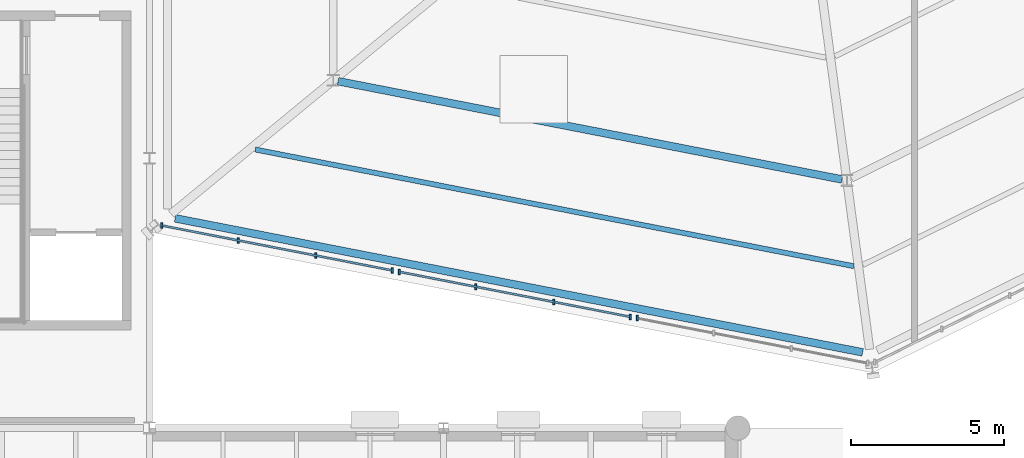
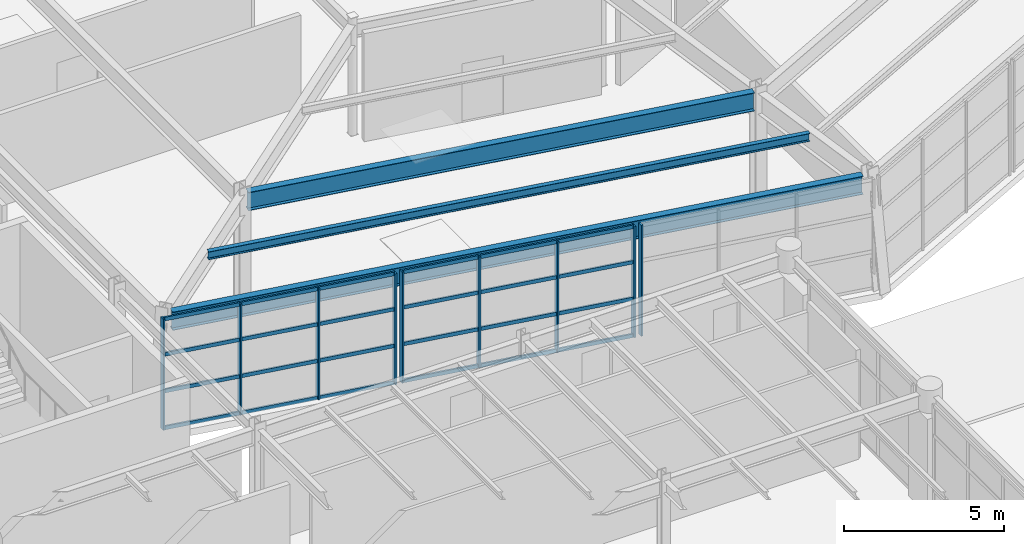
# One storey, part 29 of 77: 17 members, 3 beams, 3 elements without a shape of their own.
"""IFC4 building model written with IfcOpenShell, lengths in metres."""

import ifcopenshell
import ifcopenshell.guid

model = None  # the IFC model being written
_history = None  # IfcOwnerHistory: only IFC2X3 demands one
_inside = {}  # id of a spatial element -> (the spatial element, [elements in it])
_under = {}  # id of a project, library or spatial element -> (it, [spatial elements below it])
_declared = {}  # id of a project -> (the project, [libraries it declares])
_typed = {}  # id of a type object -> (the type object, [elements of that type])
_made_of = {}  # id of a material, layer set ... -> (it, [elements and type objects made of it])


def new_model(schema):
    """Start an empty IFC model of exactly this schema.

    Asked for "IFC4X3", IfcOpenShell would pick the latest addendum, in which some entities
    have other attributes; the version numbers below select the first issue.
    IFC2X3 requires an IfcOwnerHistory on every rooted entity: one is made here for all.
    """
    global model, _history
    if schema == "IFC4X3":
        model = ifcopenshell.file(schema_version=(4, 3, 0, 0))
    else:
        model = ifcopenshell.file(schema=schema)
    _inside.clear()
    _under.clear()
    _declared.clear()
    _typed.clear()
    _made_of.clear()
    _history = None
    if model.schema == "IFC2X3":
        org = make("IfcOrganization", Name="unknown")
        user = make(
            "IfcPersonAndOrganization",
            ThePerson=make("IfcPerson", FamilyName="unknown"),
            TheOrganization=org,
        )
        app = make(
            "IfcApplication",
            ApplicationDeveloper=org,
            Version="unknown",
            ApplicationFullName="unknown",
            ApplicationIdentifier="unknown",
        )
        _history = make(
            "IfcOwnerHistory",
            OwningUser=user,
            OwningApplication=app,
            ChangeAction="ADDED",
            CreationDate=0,
        )
    return model


def make(cls, **values):
    """One entity of the class cls with the attributes given. An attribute that is None is left unset."""
    return model.create_entity(
        cls, **{name: value for name, value in values.items() if value is not None}
    )


def rooted(cls, **values):
    """An entity with a GlobalId (a new one), such as an element, a storey or a relation."""
    return make(cls, GlobalId=ifcopenshell.guid.new(), OwnerHistory=_history, **values)


def si_unit(unit_type, name, prefix=None):
    """IfcSIUnit, for example si_unit("LENGTHUNIT", "METRE", prefix="MILLI")."""
    return make("IfcSIUnit", UnitType=unit_type, Prefix=prefix, Name=name)


def assignment(units):
    """IfcUnitAssignment: the units of a project."""
    return None if units is None else make("IfcUnitAssignment", Units=units)


def point(xyz):
    """IfcCartesianPoint."""
    return None if xyz is None else make("IfcCartesianPoint", Coordinates=xyz)


def direction(xyz):
    """IfcDirection."""
    return None if xyz is None else make("IfcDirection", DirectionRatios=xyz)


def frame(location, z_axis=None, x_axis=None):
    """IfcAxis2Placement3D, a coordinate frame: its origin and axes. An axis left out is left unset."""
    return make(
        "IfcAxis2Placement3D",
        Location=point(location),
        Axis=direction(z_axis),
        RefDirection=direction(x_axis),
    )


def frame_2d(location, x_axis=None):
    """IfcAxis2Placement2D, a coordinate frame in the plane: its origin and x axis."""
    return make(
        "IfcAxis2Placement2D", Location=point(location), RefDirection=direction(x_axis)
    )


def origin():
    """The frame at (0, 0, 0) with its axes left unset."""
    return frame((0.0, 0.0, 0.0))


def origin_2d():
    """The frame at (0, 0) in the plane with its x axis left unset."""
    return frame_2d((0.0, 0.0))


def place(relative_to, where):
    """IfcLocalPlacement: puts the frame where relative to a parent placement (None: the world)."""
    return make(
        "IfcLocalPlacement", PlacementRelTo=relative_to, RelativePlacement=where
    )


def context(
    kind, dimensions, precision=None, world=None, true_north=None, identifier=None
):
    """IfcGeometricRepresentationContext, for example the 3D "Model" context."""
    return make(
        "IfcGeometricRepresentationContext",
        ContextIdentifier=identifier,
        ContextType=kind,
        CoordinateSpaceDimension=dimensions,
        Precision=precision,
        WorldCoordinateSystem=world,
        TrueNorth=true_north,
    )


def subcontext(parent, identifier, kind, view, scale=None):
    """IfcGeometricRepresentationSubContext, for example "Body" below "Model"."""
    return make(
        "IfcGeometricRepresentationSubContext",
        ContextIdentifier=identifier,
        ContextType=kind,
        ParentContext=parent,
        TargetScale=scale,
        TargetView=view,
    )


def project(units=None, contexts=None):
    """IfcProject with its units and contexts."""
    return rooted(
        "IfcProject",
        Name="project",
        RepresentationContexts=contexts,
        UnitsInContext=assignment(units),
    )


def spatial(cls, under=None, at=None, **own):
    """A site, building, storey or space (cls), placed at a placement, below another one or the project."""
    s = rooted(cls, ObjectPlacement=at, **own)
    if under is not None:
        _under.setdefault(under.id(), (under, []))[1].append(s)
    return s


def profile(cls, at=None, kind="AREA", **sizes):
    """A parametric profile (cls). Its sizes go by their IFC names, for example OverallWidth=200.0."""
    return make(cls, ProfileType=kind, Position=at, **sizes)


def rectangle(**sizes):
    """IfcRectangleProfileDef."""
    return profile("IfcRectangleProfileDef", **sizes)


def i_section(**sizes):
    """IfcIShapeProfileDef."""
    return profile("IfcIShapeProfileDef", **sizes)


def extrude(swept, where, along, depth):
    """IfcExtrudedAreaSolid: the profile swept, set in the frame where, extruded along a direction by depth."""
    return make(
        "IfcExtrudedAreaSolid",
        SweptArea=swept,
        Position=where,
        ExtrudedDirection=direction(along),
        Depth=depth,
    )


def shape(context_of_items, identifier, shape_type, items):
    """IfcShapeRepresentation: the items that make up one representation, for example the "Body"."""
    return make(
        "IfcShapeRepresentation",
        ContextOfItems=context_of_items,
        RepresentationIdentifier=identifier,
        RepresentationType=shape_type,
        Items=items,
    )


def material(Name=None, Category=None):
    """IfcMaterial."""
    return make("IfcMaterial", Name=Name, Category=Category)


def material_profile(
    of_material, cross_section, Name=None, Category=None, Priority=None
):
    """IfcMaterialProfile: a cross section and its material."""
    return make(
        "IfcMaterialProfile",
        Name=Name,
        Material=of_material,
        Profile=cross_section,
        Priority=Priority,
        Category=Category,
    )


def profile_set(profiles, Name=None, composite=None):
    """IfcMaterialProfileSet."""
    return make(
        "IfcMaterialProfileSet",
        Name=Name,
        MaterialProfiles=profiles,
        CompositeProfile=composite,
    )


def made_of(thing, what):
    """Note that an element or type object is made of a material, layer set ...; save() writes the relation."""
    if what is not None:
        _made_of.setdefault(what.id(), (what, []))[1].append(thing)
    return thing


def type_object(cls, material=None, **own):
    """A type object (cls), such as IfcWallType, which elements share."""
    return made_of(rooted(cls, **own), material)


def element(
    cls,
    number,
    at=None,
    inside=None,
    cuts=None,
    type_object=None,
    material=None,
    context=None,
    identifier="Body",
    shape_type=None,
    held_by="IfcProductDefinitionShape",
    body=None,
    shapes=None,
    **own,
):
    """One element of the class cls, such as IfcWall. Its Tag is "e" and its number.

    at: its placement. inside: the storey or other place that contains it. cuts: it is an
    opening in that element (IfcRelVoidsElement). A single representation is given by context,
    identifier, shape_type and body (its items); several are given by shapes. held_by: the class
    of the entity that holds the representations. save() writes the other relations.
    """
    e = rooted(cls, Tag="e%d" % number, ObjectPlacement=at, **own)
    if body is not None:
        shapes = [shape(context, identifier, shape_type, body)]
    if shapes is not None:
        e.Representation = make(held_by, Representations=shapes)
    if inside is not None:
        _inside.setdefault(inside.id(), (inside, []))[1].append(e)
    if cuts is not None:
        rooted(
            "IfcRelVoidsElement", RelatingBuildingElement=cuts, RelatedOpeningElement=e
        )
    if type_object is not None:
        _typed.setdefault(type_object.id(), (type_object, []))[1].append(e)
    return made_of(e, material)


def aggregate(whole, parts):
    """IfcRelAggregates: a whole, such as a stair, and the parts it consists of."""
    return rooted("IfcRelAggregates", RelatingObject=whole, RelatedObjects=parts)


def save(model, path):
    """Write the relations noted so far, then the file.

    IfcRelAggregates (storeys below a building ...), IfcRelContainedInSpatialStructure (elements
    in a storey), IfcRelDefinesByType, IfcRelAssociatesMaterial and IfcRelDeclares: one each for
    every whole, place, type object, material and project.
    """
    for whole, parts in _under.values():
        aggregate(whole, parts)
    for where, things in _inside.values():
        rooted(
            "IfcRelContainedInSpatialStructure",
            RelatedElements=things,
            RelatingStructure=where,
        )
    for kind, things in _typed.values():
        rooted("IfcRelDefinesByType", RelatedObjects=things, RelatingType=kind)
    for what, things in _made_of.values():
        rooted("IfcRelAssociatesMaterial", RelatedObjects=things, RelatingMaterial=what)
    for by, libraries in _declared.values():
        rooted("IfcRelDeclares", RelatingContext=by, RelatedDefinitions=libraries)
    model.write(path)


model = new_model("IFC4")

# Units and contexts
model_context = context("Model", 3, precision=1e-05, world=origin(), true_north=direction((0.0, 1.0)))
body_context = subcontext(model_context, "Body", "Model", "MODEL_VIEW")
ifc_project = project(units=[si_unit("LENGTHUNIT", "METRE"), si_unit("AREAUNIT", "SQUARE_METRE"), si_unit("VOLUMEUNIT", "CUBIC_METRE"), si_unit("PLANEANGLEUNIT", "RADIAN"), si_unit("MASSUNIT", "GRAM", prefix="KILO")], contexts=[model_context])

# Site, building, storey
site_placement = place(None, origin())
site = spatial("IfcSite", under=ifc_project, at=site_placement, CompositionType="ELEMENT")
building_placement = place(site_placement, origin())
building = spatial("IfcBuilding", under=site, at=building_placement, Name="Sarnbrook Museum", CompositionType="ELEMENT")
storey_placement = place(building_placement, frame((0.0, 0.0, 5.60009765625)))
storey = spatial("IfcBuildingStorey", under=building, at=storey_placement, Name="L01", CompositionType="ELEMENT", Elevation=5.60009765625)

# Beams
ifc_material_1 = material(Name="Structural Steel Grade 350L0 (AS/NZS 3678, fy = 340 MPa for 20 < t <= 40 mm)", Category="steel")
ifc_material_profile_1 = material_profile(ifc_material_1, i_section(OverallWidth=0.25, OverallDepth=0.699951171875, WebThickness=0.010009765625, FlangeThickness=0.01611328125, at=origin_2d()), Name="700WB130")
ifc_profile_set_1 = profile_set([ifc_material_profile_1], Name="Structural Steel Grade 350L0 (AS/NZS 3678, fy = 340 MPa for 20 < t <= 40 mm)")
beam_type_1 = type_object("IfcBeamType", Name="BM-WB700", PredefinedType="BEAM", material=ifc_profile_set_1)
beam_1_placement = place(storey_placement, frame((120.037841796875, 63.640380859375, 3.889892578125), z_axis=(0.981527057929, -0.191323376915, 0.0), x_axis=(0.191323376915, 0.981527057929, 0.0)))
element("IfcBeam", 1, at=beam_1_placement, inside=storey, type_object=beam_type_1, Name="Crystal Hall Perimeter Ring Girder 1 L01", PredefinedType="BEAM", context=body_context, shape_type="SweptSolid", body=[
    extrude(i_section(OverallWidth=0.25, OverallDepth=0.699951171875, WebThickness=0.010009765625, FlangeThickness=0.01611328125, at=origin_2d()), origin(), (0.0, 0.0, 1.0), 22.85546875),
])
beam_2_placement = place(storey_placement, frame((125.35693359375, 68.11279296875, 3.889892578125), z_axis=(0.981528590883, -0.191315512384, 0.0), x_axis=(0.191315512384, 0.981528590883, 0.0)))
element("IfcBeam", 2, at=beam_2_placement, inside=storey, type_object=beam_type_1, Name="Crystal Hall R1 Ring Girder 1 L01", PredefinedType="BEAM", context=body_context, shape_type="SweptSolid", body=[
    extrude(i_section(OverallWidth=0.25, OverallDepth=0.699951171875, WebThickness=0.010009765625, FlangeThickness=0.01611328125, at=origin_2d()), origin(), (0.0, 0.0, 1.0), 16.75146484375),
])

# Curtain wall, members
ifc_material_2 = material(Name="Thermally Broken Anodised Aluminium 6063-T6", Category="aluminium")
curtain_wall_type = type_object("IfcCurtainWallType", Name="CurtainWall_CrystalFacet", PredefinedType="NOTDEFINED", material=ifc_material_2)
curtain_wall_1_placement = place(storey_placement, origin())
curtain_wall_1 = element("IfcCurtainWall", 3, at=curtain_wall_1_placement, inside=storey, type_object=curtain_wall_type, Name="Crystal Hall Facet Curtain Wall L01-F1.1", PredefinedType="NOTDEFINED")
ifc_material_profile_2 = material_profile(ifc_material_2, rectangle(XDim=0.06494140625, YDim=0.179931640625, at=origin_2d()), Name="ALU MULLION 65x180")
ifc_profile_set_2 = profile_set([ifc_material_profile_2], Name="Thermally Broken Anodised Aluminium 6063-T6")
member_type_1 = type_object("IfcMemberType", Name="CW_Mullion_180x75", PredefinedType="MULLION", material=ifc_profile_set_2)
member_1_placement = place(storey_placement, frame((119.596923828125, 63.406982421875, 0.0), z_axis=(0.0, 0.0, 1.0), x_axis=(1.0, 0.0, 0.0)))
member_1 = element("IfcMember", 4, at=member_1_placement, type_object=member_type_1, Name="Crystal Hall Facet Curtain Wall L01-F1.1 Mullion 1", PredefinedType="MULLION", context=body_context, shape_type="SweptSolid", body=[
    extrude(rectangle(XDim=0.06494140625, YDim=0.179931640625, at=origin_2d()), origin(), (0.0, 0.0, 1.0), 4.239990234375),
])
member_2_placement = place(storey_placement, frame((122.092041015625, 62.920654296875, 0.0), z_axis=(0.0, 0.0, 1.0), x_axis=(1.0, 0.0, 0.0)))
member_2 = element("IfcMember", 5, at=member_2_placement, type_object=member_type_1, Name="Crystal Hall Facet Curtain Wall L01-F1.1 Mullion 2", PredefinedType="MULLION", context=body_context, shape_type="SweptSolid", body=[
    extrude(rectangle(XDim=0.06494140625, YDim=0.179931640625, at=origin_2d()), origin(), (0.0, 0.0, 1.0), 4.239990234375),
])
member_3_placement = place(storey_placement, frame((124.626708984375, 62.4267578125, 0.0), z_axis=(0.0, 0.0, 1.0), x_axis=(1.0, 0.0, 0.0)))
member_3 = element("IfcMember", 6, at=member_3_placement, type_object=member_type_1, Name="Crystal Hall Facet Curtain Wall L01-F1.1 Mullion 3", PredefinedType="MULLION", context=body_context, shape_type="SweptSolid", body=[
    extrude(rectangle(XDim=0.06494140625, YDim=0.179931640625, at=origin_2d()), origin(), (0.0, 0.0, 1.0), 4.239990234375),
])
member_4_placement = place(storey_placement, frame((127.121826171875, 61.940185546875, 0.0), z_axis=(0.0, 0.0, 1.0), x_axis=(1.0, 0.0, 0.0)))
member_4 = element("IfcMember", 7, at=member_4_placement, type_object=member_type_1, Name="Crystal Hall Facet Curtain Wall L01-F1.1 Mullion 4", PredefinedType="MULLION", context=body_context, shape_type="SweptSolid", body=[
    extrude(rectangle(XDim=0.06494140625, YDim=0.179931640625, at=origin_2d()), origin(), (0.0, 0.0, 1.0), 4.239990234375),
])

curtain_wall_2_placement = place(storey_placement, origin())
curtain_wall_2 = element("IfcCurtainWall", 8, at=curtain_wall_2_placement, inside=storey, type_object=curtain_wall_type, Name="Crystal Hall Facet Curtain Wall L01-F1.2", PredefinedType="NOTDEFINED")
member_5_placement = place(storey_placement, frame((127.357421875, 61.894287109375, 0.0), z_axis=(0.0, 0.0, 1.0), x_axis=(1.0, 0.0, 0.0)))
member_5 = element("IfcMember", 9, at=member_5_placement, type_object=member_type_1, Name="Crystal Hall Facet Curtain Wall L01-F1.2 Mullion 1", PredefinedType="MULLION", context=body_context, shape_type="SweptSolid", body=[
    extrude(rectangle(XDim=0.06494140625, YDim=0.179931640625, at=origin_2d()), origin(), (0.0, 0.0, 1.0), 4.239990234375),
])
member_6_placement = place(storey_placement, frame((129.852783203125, 61.407958984375, 0.0), z_axis=(0.0, 0.0, 1.0), x_axis=(1.0, 0.0, 0.0)))
member_6 = element("IfcMember", 10, at=member_6_placement, type_object=member_type_1, Name="Crystal Hall Facet Curtain Wall L01-F1.2 Mullion 2", PredefinedType="MULLION", context=body_context, shape_type="SweptSolid", body=[
    extrude(rectangle(XDim=0.06494140625, YDim=0.179931640625, at=origin_2d()), origin(), (0.0, 0.0, 1.0), 4.239990234375),
])
member_7_placement = place(storey_placement, frame((132.38720703125, 60.9140625, 0.0), z_axis=(0.0, 0.0, 1.0), x_axis=(1.0, 0.0, 0.0)))
member_7 = element("IfcMember", 11, at=member_7_placement, type_object=member_type_1, Name="Crystal Hall Facet Curtain Wall L01-F1.2 Mullion 3", PredefinedType="MULLION", context=body_context, shape_type="SweptSolid", body=[
    extrude(rectangle(XDim=0.06494140625, YDim=0.179931640625, at=origin_2d()), origin(), (0.0, 0.0, 1.0), 4.239990234375),
])
member_8_placement = place(storey_placement, frame((134.88232421875, 60.427490234375, 0.0), z_axis=(0.0, 0.0, 1.0), x_axis=(1.0, 0.0, 0.0)))
member_8 = element("IfcMember", 12, at=member_8_placement, type_object=member_type_1, Name="Crystal Hall Facet Curtain Wall L01-F1.2 Mullion 4", PredefinedType="MULLION", context=body_context, shape_type="SweptSolid", body=[
    extrude(rectangle(XDim=0.06494140625, YDim=0.179931640625, at=origin_2d()), origin(), (0.0, 0.0, 1.0), 4.239990234375),
])

# Curtain wall, member
curtain_wall_3_placement = place(storey_placement, origin())
curtain_wall_3 = element("IfcCurtainWall", 13, at=curtain_wall_3_placement, inside=storey, type_object=curtain_wall_type, Name="Crystal Hall Facet Curtain Wall L01-F1.3", PredefinedType="NOTDEFINED")
member_9_placement = place(storey_placement, frame((135.117919921875, 60.381591796875, 0.0), z_axis=(0.0, 0.0, 1.0), x_axis=(1.0, 0.0, 0.0)))
member_9 = element("IfcMember", 14, at=member_9_placement, type_object=member_type_1, Name="Crystal Hall Facet Curtain Wall L01-F1.3 Mullion 1", PredefinedType="MULLION", context=body_context, shape_type="SweptSolid", body=[
    extrude(rectangle(XDim=0.06494140625, YDim=0.179931640625, at=origin_2d()), origin(), (0.0, 0.0, 1.0), 4.239990234375),
])
aggregate(curtain_wall_3, [member_9])

# Member
ifc_material_profile_3 = material_profile(ifc_material_2, rectangle(XDim=0.06494140625, YDim=0.139892578125, at=origin_2d()), Name="ALU TRANSOM 65x140")
ifc_profile_set_3 = profile_set([ifc_material_profile_3], Name="Thermally Broken Anodised Aluminium 6063-T6")
member_type_2 = type_object("IfcMemberType", Name="CW_Transom_150x65", PredefinedType="USERDEFINED", material=ifc_profile_set_3)
member_10_placement = place(storey_placement, frame((119.606689453125, 63.405029296875, 0.039794921875), z_axis=(0.981529214935, -0.191312310711, 0.0), x_axis=(0.191312310711, 0.981529214935, 0.0)))
member_10 = element("IfcMember", 15, at=member_10_placement, type_object=member_type_2, Name="Crystal Hall Facet Curtain Wall L01-F1.1 Transom 1", ObjectType="TRANSOM", PredefinedType="USERDEFINED", context=body_context, shape_type="SweptSolid", body=[
    extrude(rectangle(XDim=0.06494140625, YDim=0.139892578125, at=origin_2d()), origin(), (0.0, 0.0, 1.0), 7.646728515625),
])

member_11_placement = place(storey_placement, frame((119.606689453125, 63.405029296875, 1.449951171875), z_axis=(0.981529214935, -0.191312310711, 0.0), x_axis=(0.191312310711, 0.981529214935, 0.0)))
member_11 = element("IfcMember", 16, at=member_11_placement, type_object=member_type_2, Name="Crystal Hall Facet Curtain Wall L01-F1.1 Transom 2", ObjectType="TRANSOM", PredefinedType="USERDEFINED", context=body_context, shape_type="SweptSolid", body=[
    extrude(rectangle(XDim=0.06494140625, YDim=0.139892578125, at=origin_2d()), origin(), (0.0, 0.0, 1.0), 7.646728515625),
])

member_12_placement = place(storey_placement, frame((119.606689453125, 63.405029296875, 2.849853515625), z_axis=(0.981529214935, -0.191312310711, 0.0), x_axis=(0.191312310711, 0.981529214935, 0.0)))
member_12 = element("IfcMember", 17, at=member_12_placement, type_object=member_type_2, Name="Crystal Hall Facet Curtain Wall L01-F1.1 Transom 3", ObjectType="TRANSOM", PredefinedType="USERDEFINED", context=body_context, shape_type="SweptSolid", body=[
    extrude(rectangle(XDim=0.06494140625, YDim=0.139892578125, at=origin_2d()), origin(), (0.0, 0.0, 1.0), 7.646728515625),
])

member_13_placement = place(storey_placement, frame((119.606689453125, 63.405029296875, 4.199951171875), z_axis=(0.981529214935, -0.191312310711, 0.0), x_axis=(0.191312310711, 0.981529214935, 0.0)))
member_13 = element("IfcMember", 18, at=member_13_placement, type_object=member_type_2, Name="Crystal Hall Facet Curtain Wall L01-F1.1 Transom 4", ObjectType="TRANSOM", PredefinedType="USERDEFINED", context=body_context, shape_type="SweptSolid", body=[
    extrude(rectangle(XDim=0.06494140625, YDim=0.139892578125, at=origin_2d()), origin(), (0.0, 0.0, 1.0), 7.646728515625),
])

aggregate(curtain_wall_1, [member_1, member_2, member_3, member_4, member_10, member_11, member_12, member_13])

member_14_placement = place(storey_placement, frame((127.3671875, 61.892578125, 0.039794921875), z_axis=(0.981523219102, -0.191343069809, 0.0), x_axis=(0.191343069809, 0.981523219102, 0.0)))
member_14 = element("IfcMember", 19, at=member_14_placement, type_object=member_type_2, Name="Crystal Hall Facet Curtain Wall L01-F1.2 Transom 1", ObjectType="TRANSOM", PredefinedType="USERDEFINED", context=body_context, shape_type="SweptSolid", body=[
    extrude(rectangle(XDim=0.06494140625, YDim=0.139892578125, at=origin_2d()), origin(), (0.0, 0.0, 1.0), 7.646728515625),
])

member_15_placement = place(storey_placement, frame((127.3671875, 61.892578125, 1.449951171875), z_axis=(0.981523219102, -0.191343069809, 0.0), x_axis=(0.191343069809, 0.981523219102, 0.0)))
member_15 = element("IfcMember", 20, at=member_15_placement, type_object=member_type_2, Name="Crystal Hall Facet Curtain Wall L01-F1.2 Transom 2", ObjectType="TRANSOM", PredefinedType="USERDEFINED", context=body_context, shape_type="SweptSolid", body=[
    extrude(rectangle(XDim=0.06494140625, YDim=0.139892578125, at=origin_2d()), origin(), (0.0, 0.0, 1.0), 7.646728515625),
])

member_16_placement = place(storey_placement, frame((127.3671875, 61.892578125, 2.849853515625), z_axis=(0.981523219102, -0.191343069809, 0.0), x_axis=(0.191343069809, 0.981523219102, 0.0)))
member_16 = element("IfcMember", 21, at=member_16_placement, type_object=member_type_2, Name="Crystal Hall Facet Curtain Wall L01-F1.2 Transom 3", ObjectType="TRANSOM", PredefinedType="USERDEFINED", context=body_context, shape_type="SweptSolid", body=[
    extrude(rectangle(XDim=0.06494140625, YDim=0.139892578125, at=origin_2d()), origin(), (0.0, 0.0, 1.0), 7.646728515625),
])

member_17_placement = place(storey_placement, frame((127.3671875, 61.892578125, 4.199951171875), z_axis=(0.981523219102, -0.191343069809, 0.0), x_axis=(0.191343069809, 0.981523219102, 0.0)))
member_17 = element("IfcMember", 22, at=member_17_placement, type_object=member_type_2, Name="Crystal Hall Facet Curtain Wall L01-F1.2 Transom 4", ObjectType="TRANSOM", PredefinedType="USERDEFINED", context=body_context, shape_type="SweptSolid", body=[
    extrude(rectangle(XDim=0.06494140625, YDim=0.139892578125, at=origin_2d()), origin(), (0.0, 0.0, 1.0), 7.646728515625),
])

aggregate(curtain_wall_2, [member_5, member_6, member_7, member_8, member_14, member_15, member_16, member_17])

# Beam
ifc_material_3 = material(Name="Structural Steel Grade 300PLUS (AS/NZS 3679.1, fy = 280 MPa for 17 < t <= 40 mm, 300 MPa for t <= 17 mm)", Category="steel")
ifc_material_profile_4 = material_profile(ifc_material_3, i_section(OverallWidth=0.1650390625, OverallDepth=0.303955078125, WebThickness=0.006103515625, FlangeThickness=0.01025390625, FilletRadius=0.011474609375, at=origin_2d()), Name="310UB40.4")
ifc_profile_set_4 = profile_set([ifc_material_profile_4], Name="Structural Steel Grade 300PLUS (AS/NZS 3679.1, fy = 280 MPa for 17 < t <= 40 mm, 300 MPa for t <= 17 mm)")
beam_type_2 = type_object("IfcBeamType", Name="JS-UB310", PredefinedType="JOIST", material=ifc_profile_set_4)
beam_3_placement = place(storey_placement, frame((122.6533203125, 65.885009765625, 4.087890625), z_axis=(0.981528999793, -0.191313414493, 0.0), x_axis=(0.191313414493, 0.981528999793, 0.0)))
element("IfcBeam", 23, at=beam_3_placement, inside=storey, type_object=beam_type_2, Name="Crystal Hall Tangential Joist MO-1 L01", PredefinedType="JOIST", context=body_context, shape_type="SweptSolid", body=[
    extrude(i_section(OverallWidth=0.1650390625, OverallDepth=0.303955078125, WebThickness=0.006103515625, FlangeThickness=0.01025390625, FilletRadius=0.011474609375, at=origin_2d()), origin(), (0.0, 0.0, 1.0), 19.8935546875),
])

save(model, "model.ifc")
